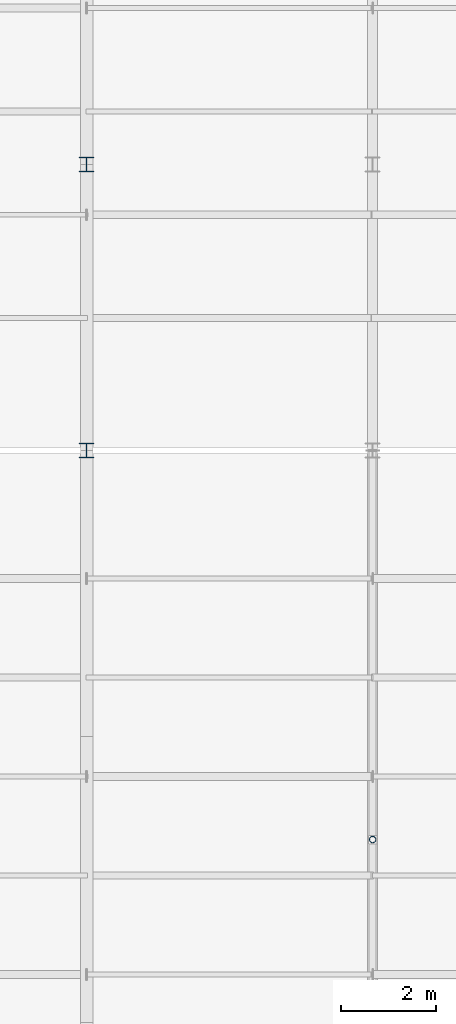
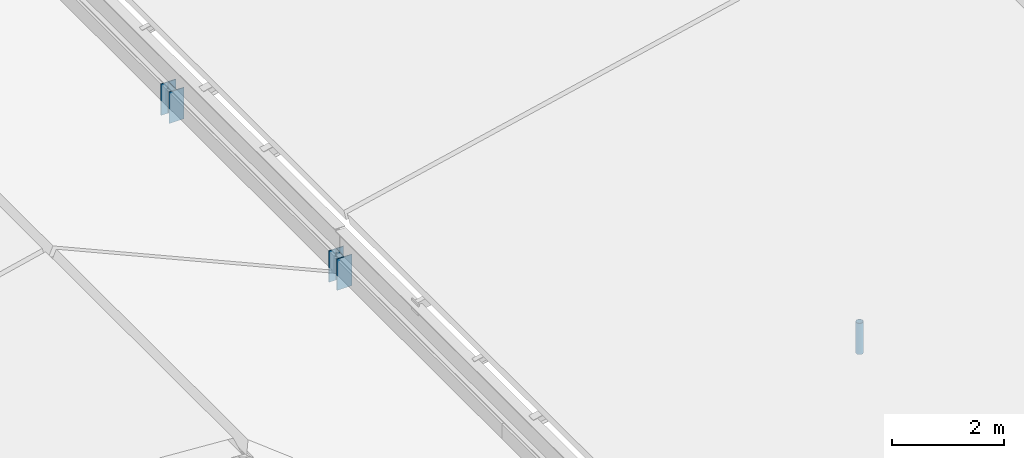
# One storey, part 25 of 74: 3 members.
"""IFC4 building model written with IfcOpenShell, lengths in metres."""

from ifc_helpers import new_model, si_unit, direction, frame, origin, origin_2d, place, context, subcontext, project, spatial, hollow_circle, i_section, extrude, material, material_profile, profile_set, type_object, element, save


model = new_model("IFC4")

# Units and contexts
model_context = context("Model", 3, precision=1e-05, world=origin(), true_north=direction((0.0, 1.0)))
body_context = subcontext(model_context, "Body", "Model", "MODEL_VIEW")
ifc_project = project(units=[si_unit("LENGTHUNIT", "METRE"), si_unit("AREAUNIT", "SQUARE_METRE"), si_unit("VOLUMEUNIT", "CUBIC_METRE"), si_unit("PLANEANGLEUNIT", "RADIAN"), si_unit("MASSUNIT", "GRAM", prefix="KILO")], contexts=[model_context])

# Site, building, storey
site_placement = place(None, origin())
site = spatial("IfcSite", under=ifc_project, at=site_placement, CompositionType="ELEMENT")
building_placement = place(site_placement, origin())
building = spatial("IfcBuilding", under=site, at=building_placement, Name="Siltcreek Boulevard Central Fire Station", CompositionType="ELEMENT")
storey_placement = place(building_placement, frame((0.0, 0.0, 25.199951171875)))
storey = spatial("IfcBuildingStorey", under=building, at=storey_placement, Name="RF", CompositionType="ELEMENT", Elevation=25.199951171875)

# Members
ifc_material_1 = material(Name="Structural steel ASTM A500 GrC", Category="steel")
ifc_material_profile_1 = material_profile(ifc_material_1, hollow_circle(Radius=0.06982421875, WallThickness=0.00634765625, at=origin_2d()), Name="HSS139.7X6.4")
ifc_profile_set_1 = profile_set([ifc_material_profile_1], Name="Structural steel ASTM A500 GrC")
member_type_1 = type_object("IfcMemberType", Name="BR_CHS139", PredefinedType="BRACE", material=ifc_profile_set_1)
member_placement = place(storey_placement, frame((25.800048828125, 33.840087890625, -13.8515625), z_axis=(0.0, 0.0, 1.0), x_axis=(1.0, 0.0, 0.0)))
element("IfcMember", 1, at=member_placement, inside=storey, type_object=member_type_1, Name="Roof truss web strut BR-051", PredefinedType="BRACE", context=body_context, shape_type="SweptSolid", body=[
    extrude(hollow_circle(Radius=0.06982421875, WallThickness=0.00634765625, at=origin_2d()), origin(), (0.0, 0.0, 1.0), 0.68017578125),
])
ifc_material_2 = material(Name="Structural steel ASTM A992 Gr50", Category="steel")
ifc_material_profile_2 = material_profile(ifc_material_2, i_section(OverallWidth=0.304931640625, OverallDepth=0.30810546875, WebThickness=0.010009765625, FlangeThickness=0.015380859375, at=origin_2d()), Name="W310X97")
ifc_profile_set_2 = profile_set([ifc_material_profile_2], Name="Structural steel ASTM A992 Gr50")
member_type_2 = type_object("IfcMemberType", Name="CH_W310X97", PredefinedType="CHORD", material=ifc_profile_set_2)
for number, where, z_axis, x_axis, name in (
    (2, (19.800048828125, 42.0, -15.199951171875), (0.0, 0.0, 1.0), (1.0, 0.0, 0.0), "Roof bearing truss post 0671"),
    (3, (19.800048828125, 48.0, -15.199951171875), (0.0, 0.0, 1.0), (1.0, 0.0, 0.0), "Roof bearing truss post 0672"),
):
    element("IfcMember", number, at=place(storey_placement, frame(where, z_axis=z_axis, x_axis=x_axis)), inside=storey, type_object=member_type_2, Name=name, PredefinedType="CHORD", context=body_context, shape_type="SweptSolid", body=[
        extrude(i_section(OverallWidth=0.304931640625, OverallDepth=0.30810546875, WebThickness=0.010009765625, FlangeThickness=0.015380859375, at=origin_2d()), origin(), (0.0, 0.0, 1.0), 0.68310546875),
    ])

save(model, "model.ifc")
